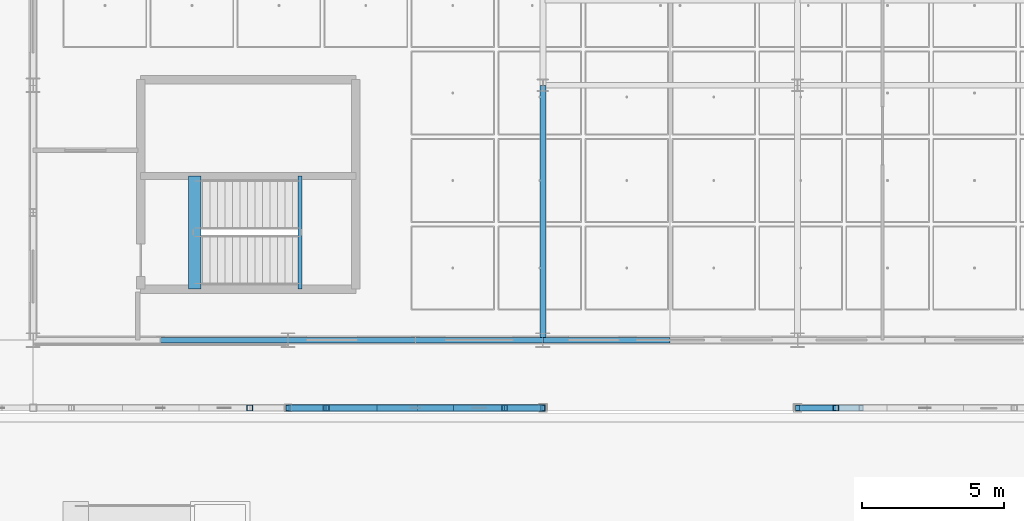
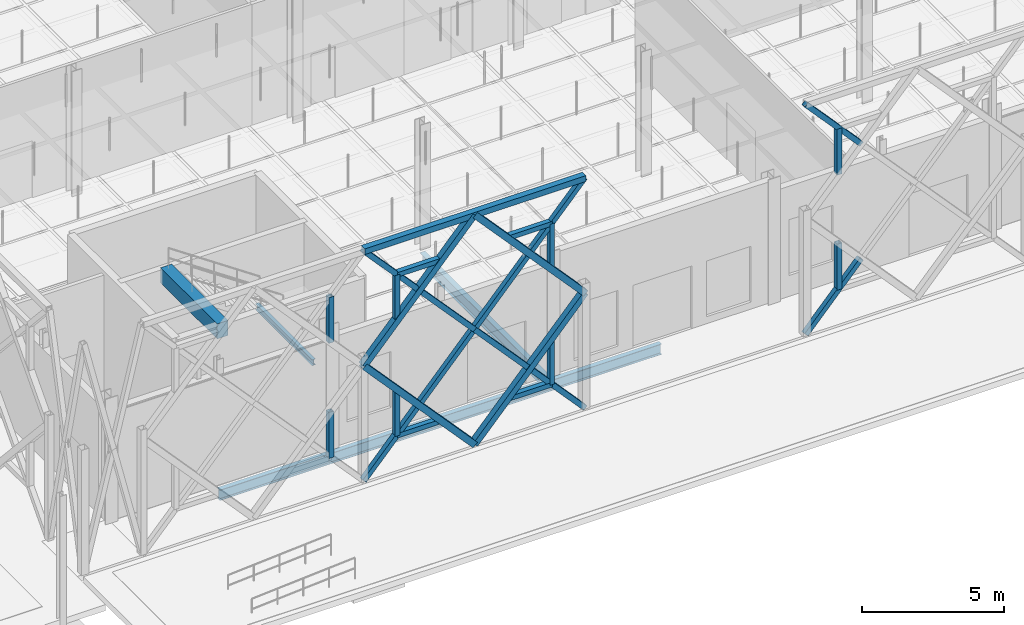
# One storey, part 35 of 180: 26 members, 7 beams.
"""IFC4 building model written with IfcOpenShell, lengths in metres."""

from ifc_helpers import new_model, si_unit, direction, frame, origin, origin_2d, place, context, subcontext, project, spatial, rectangle, hollow_rectangle, i_section, extrude, material, material_profile, profile_set, type_object, element, save


model = new_model("IFC4")

# Units and contexts
model_context = context("Model", 3, precision=1e-05, world=origin(), true_north=direction((0.0, 1.0)))
body_context = subcontext(model_context, "Body", "Model", "MODEL_VIEW")
ifc_project = project(units=[si_unit("LENGTHUNIT", "METRE"), si_unit("AREAUNIT", "SQUARE_METRE"), si_unit("VOLUMEUNIT", "CUBIC_METRE"), si_unit("PLANEANGLEUNIT", "RADIAN"), si_unit("MASSUNIT", "GRAM", prefix="KILO"), si_unit("THERMODYNAMICTEMPERATUREUNIT", "KELVIN"), si_unit("POWERUNIT", "WATT")], contexts=[model_context])

# Site, building, storey
site_placement = place(None, origin())
site = spatial("IfcSite", under=ifc_project, at=site_placement, CompositionType="ELEMENT")
building_placement = place(site_placement, origin())
building = spatial("IfcBuilding", under=site, at=building_placement, Name="Tallowbark Science Centre", CompositionType="ELEMENT")
storey_placement = place(building_placement, origin())
storey = spatial("IfcBuildingStorey", under=building, at=storey_placement, Name="L00", CompositionType="ELEMENT", Elevation=0.0)

# Beams
ifc_material_1 = material(Name="Concrete Grade N40 (40 MPa)", Category="concrete")
ifc_material_profile_1 = material_profile(ifc_material_1, rectangle(XDim=0.449951171875, YDim=0.64990234375, at=origin_2d()), Name="RC450x650")
ifc_profile_set_1 = profile_set([ifc_material_profile_1], Name="Concrete Grade N40 (40 MPa)")
beam_type_1 = type_object("IfcBeamType", Name="BM-GB2-N40", PredefinedType="BEAM", material=ifc_profile_set_1)
beam_1_placement = place(storey_placement, frame((64.2099609375, 6.300048828125, 5.074951171875), z_axis=(0.0, 1.0, 0.0), x_axis=(-1.0, 0.0, 0.0)))
element("IfcBeam", 1, at=beam_1_placement, inside=storey, type_object=beam_type_1, Name="Stair ST-07 Landing Nosing Beam L00", PredefinedType="BEAM", context=body_context, shape_type="SweptSolid", body=[
    extrude(rectangle(XDim=0.449951171875, YDim=0.64990234375, at=origin_2d()), origin(), (0.0, 0.0, 1.0), 3.994873046875),
])
ifc_material_2 = material(Name="Structural Steel Grade 300PLUS (300 MPa)", Category="steel")
ifc_material_profile_2 = material_profile(ifc_material_2, i_section(OverallWidth=0.208740234375, OverallDepth=0.5283203125, WebThickness=0.009521484375, FlangeThickness=0.01318359375, FilletRadius=0.013916015625, at=origin_2d()), Name="530UB82.0")
ifc_profile_set_2 = profile_set([ifc_material_profile_2], Name="Structural Steel Grade 300PLUS (300 MPa)")
beam_type_2 = type_object("IfcBeamType", Name="BM-UB530B", PredefinedType="BEAM", material=ifc_profile_set_2)
beam_2_placement = place(storey_placement, frame((76.5, 4.5, -0.504150390625), z_axis=(0.0, 1.0, 0.0), x_axis=(-1.0, 0.0, 0.0)))
element("IfcBeam", 2, at=beam_2_placement, inside=storey, type_object=beam_type_2, Name="Primary Girder GRDY-L00-765-45-135", PredefinedType="BEAM", context=body_context, shape_type="SweptSolid", body=[
    extrude(i_section(OverallWidth=0.208740234375, OverallDepth=0.5283203125, WebThickness=0.009521484375, FlangeThickness=0.01318359375, FilletRadius=0.013916015625, at=origin_2d()), origin(), (0.0, 0.0, 1.0), 9.0),
])
ifc_material_profile_3 = material_profile(ifc_material_2, i_section(OverallWidth=0.146484375, OverallDepth=0.256103515625, WebThickness=0.00634765625, FlangeThickness=0.010986328125, FilletRadius=0.0087890625, at=origin_2d()), Name="250UB37.3")
ifc_profile_set_3 = profile_set([ifc_material_profile_3], Name="Structural Steel Grade 300PLUS (300 MPa)")
beam_type_3 = type_object("IfcBeamType", Name="JST-UB250", PredefinedType="JOIST", material=ifc_profile_set_3)
beam_3_placement = place(storey_placement, frame((67.919921875, 6.300048828125, 2.371826171875), z_axis=(0.0, 1.0, 0.0), x_axis=(-1.0, 0.0, 0.0)))
element("IfcBeam", 3, at=beam_3_placement, inside=storey, type_object=beam_type_3, Name="Stair ST-07 Half-Landing Trimmer L00", PredefinedType="JOIST", context=body_context, shape_type="SweptSolid", body=[
    extrude(i_section(OverallWidth=0.146484375, OverallDepth=0.256103515625, WebThickness=0.00634765625, FlangeThickness=0.010986328125, FilletRadius=0.0087890625, at=origin_2d()), origin(), (0.0, 0.0, 1.0), 3.994873046875),
])

# Members
ifc_material_3 = material(Name="White Architectural Painted Steel Grade C350L0 (350 MPa)", Category="steel")
ifc_material_profile_4 = material_profile(ifc_material_3, hollow_rectangle(XDim=0.25, YDim=0.25, WallThickness=0.009033203125, at=origin_2d()), Name="250x250x9.0SHS")
ifc_profile_set_4 = profile_set([ifc_material_profile_4], Name="White Architectural Painted Steel Grade C350L0 (350 MPa)")
member_type_1 = type_object("IfcMemberType", Name="SCR-CHD200", PredefinedType="CHORD", material=ifc_profile_set_4)
member_1_placement = place(storey_placement, frame((67.5, 2.10009765625, 9.89990234375), z_axis=(1.0, 0.0, 0.0), x_axis=(0.0, 1.0, 0.0)))
element("IfcMember", 4, at=member_1_placement, inside=storey, type_object=member_type_1, Name="Star Screen Frame Chord S-3", PredefinedType="CHORD", context=body_context, shape_type="SweptSolid", body=[
    extrude(hollow_rectangle(XDim=0.25, YDim=0.25, WallThickness=0.009033203125, at=origin_2d()), origin(), (0.0, 0.0, 1.0), 9.0),
])
for number, where, z_axis, x_axis, name in (
    (5, (72.0, 2.10009765625, 0.0), (0.672676426978, 0.0, 0.739936770669), (0.0, 1.0, 0.0), "Star Screen Octagram Diamond Chord S-3-1"),
    (6, (76.5, 2.10009765625, 4.949951171875), (-0.672676426978, 0.0, 0.739936770669), (0.0, -1.0, 0.0), "Star Screen Octagram Diamond Chord S-3-2"),
    (7, (72.0, 2.10009765625, 9.89990234375), (-0.672676426978, 0.0, -0.739936770669), (0.0, -1.0, 0.0), "Star Screen Octagram Diamond Chord S-3-3"),
    (8, (67.5, 2.10009765625, 4.949951171875), (0.672676426978, 0.0, -0.739936770669), (0.0, 1.0, 0.0), "Star Screen Octagram Diamond Chord S-3-4"),
):
    element("IfcMember", number, at=place(storey_placement, frame(where, z_axis=z_axis, x_axis=x_axis)), inside=storey, type_object=member_type_1, Name=name, PredefinedType="CHORD", context=body_context, shape_type="SweptSolid", body=[
        extrude(hollow_rectangle(XDim=0.25, YDim=0.25, WallThickness=0.009033203125, at=origin_2d()), origin(), (0.0, 0.0, 1.0), 6.689697265625),
    ])
ifc_material_profile_5 = material_profile(ifc_material_3, hollow_rectangle(XDim=0.199951171875, YDim=0.199951171875, WallThickness=0.009033203125, at=origin_2d()), Name="200x200x9.0SHS")
ifc_profile_set_5 = profile_set([ifc_material_profile_5], Name="White Architectural Painted Steel Grade C350L0 (350 MPa)")
member_type_2 = type_object("IfcMemberType", Name="SCR-STAR139", PredefinedType="BRACE", material=ifc_profile_set_5)
member_2_placement = place(storey_placement, frame((67.5, 2.10009765625, 0.0), z_axis=(0.672658262301, 0.0, 0.739953283768), x_axis=(0.0, 1.0, 0.0)))
element("IfcMember", 9, at=member_2_placement, inside=storey, type_object=member_type_2, Name="Star Screen Continuous X-Diagonal D1A S-3", PredefinedType="BRACE", context=body_context, shape_type="SweptSolid", body=[
    extrude(hollow_rectangle(XDim=0.199951171875, YDim=0.199951171875, WallThickness=0.009033203125, at=origin_2d()), origin(), (0.0, 0.0, 1.0), 3.344970703125),
])
member_3_placement = place(storey_placement, frame((69.75, 2.10009765625, 2.47509765625), z_axis=(0.672676426978, 0.0, 0.739936770669), x_axis=(0.0, 1.0, 0.0)))
element("IfcMember", 10, at=member_3_placement, inside=storey, type_object=member_type_2, Name="Star Screen Continuous X-Diagonal D1M S-3", PredefinedType="BRACE", context=body_context, shape_type="SweptSolid", body=[
    extrude(hollow_rectangle(XDim=0.199951171875, YDim=0.199951171875, WallThickness=0.009033203125, at=origin_2d()), origin(), (0.0, 0.0, 1.0), 6.689697265625),
])
for number, where, z_axis, x_axis, name in (
    (11, (74.25, 2.10009765625, 7.425048828125), (0.672694592231, 0.0, 0.739920256233), (0.0, 1.0, 0.0), "Star Screen Continuous X-Diagonal D1B S-3"),
    (12, (67.5, 2.10009765625, 9.89990234375), (0.672694592231, 0.0, -0.739920256233), (0.0, 1.0, 0.0), "Star Screen Split X-Diagonal D2A S-3"),
):
    element("IfcMember", number, at=place(storey_placement, frame(where, z_axis=z_axis, x_axis=x_axis)), inside=storey, type_object=member_type_2, Name=name, PredefinedType="BRACE", context=body_context, shape_type="SweptSolid", body=[
        extrude(hollow_rectangle(XDim=0.199951171875, YDim=0.199951171875, WallThickness=0.009033203125, at=origin_2d()), origin(), (0.0, 0.0, 1.0), 3.3447265625),
    ])
member_4_placement = place(storey_placement, frame((69.75, 2.10009765625, 7.425048828125), z_axis=(0.672658262301, 0.0, -0.739953283768), x_axis=(0.0, 1.0, 0.0)))
element("IfcMember", 13, at=member_4_placement, inside=storey, type_object=member_type_2, Name="Star Screen Split X-Diagonal D2B S-3", PredefinedType="BRACE", context=body_context, shape_type="SweptSolid", body=[
    extrude(hollow_rectangle(XDim=0.199951171875, YDim=0.199951171875, WallThickness=0.009033203125, at=origin_2d()), origin(), (0.0, 0.0, 1.0), 3.344970703125),
])
member_5_placement = place(storey_placement, frame((72.0, 2.10009765625, 4.949951171875), z_axis=(0.672694592231, 0.0, -0.739920256233), x_axis=(0.0, 1.0, 0.0)))
element("IfcMember", 14, at=member_5_placement, inside=storey, type_object=member_type_2, Name="Star Screen Split X-Diagonal D2C S-3", PredefinedType="BRACE", context=body_context, shape_type="SweptSolid", body=[
    extrude(hollow_rectangle(XDim=0.199951171875, YDim=0.199951171875, WallThickness=0.009033203125, at=origin_2d()), origin(), (0.0, 0.0, 1.0), 3.3447265625),
])
for number, where, z_axis, x_axis, name in (
    (15, (74.25, 2.10009765625, 2.47509765625), (0.672658262301, 0.0, -0.739953283768), (0.0, 1.0, 0.0), "Star Screen Split X-Diagonal D2D S-3"),
    (16, (85.5, 2.10009765625, 0.0), (0.672658262301, 0.0, 0.739953283768), (0.0, 1.0, 0.0), "Star Screen Continuous X-Diagonal D1A S-6"),
):
    element("IfcMember", number, at=place(storey_placement, frame(where, z_axis=z_axis, x_axis=x_axis)), inside=storey, type_object=member_type_2, Name=name, PredefinedType="BRACE", context=body_context, shape_type="SweptSolid", body=[
        extrude(hollow_rectangle(XDim=0.199951171875, YDim=0.199951171875, WallThickness=0.009033203125, at=origin_2d()), origin(), (0.0, 0.0, 1.0), 3.344970703125),
    ])
member_6_placement = place(storey_placement, frame((85.5, 2.10009765625, 9.89990234375), z_axis=(0.672694592231, 0.0, -0.739920256233), x_axis=(0.0, 1.0, 0.0)))
element("IfcMember", 17, at=member_6_placement, inside=storey, type_object=member_type_2, Name="Star Screen Split X-Diagonal D2A S-6", PredefinedType="BRACE", context=body_context, shape_type="SweptSolid", body=[
    extrude(hollow_rectangle(XDim=0.199951171875, YDim=0.199951171875, WallThickness=0.009033203125, at=origin_2d()), origin(), (0.0, 0.0, 1.0), 3.3447265625),
])
ifc_material_profile_6 = material_profile(ifc_material_3, hollow_rectangle(XDim=0.199951171875, YDim=0.199951171875, WallThickness=0.009033203125, at=origin_2d()), Name="200x200x9.0SHS")
ifc_profile_set_6 = profile_set([ifc_material_profile_6], Name="White Architectural Painted Steel Grade C350L0 (350 MPa)")
member_type_3 = type_object("IfcMemberType", Name="SCR-SUB150", PredefinedType="BRACE", material=ifc_profile_set_6)
for number, where, z_axis, x_axis, name in (
    (18, (66.14990234375, 2.10009765625, 1.485107421875), (0.0, 0.0, 1.0), (1.0, 0.0, 0.0), "Star Screen Octagram Point Ray S-1-4"),
    (19, (66.14990234375, 2.10009765625, 8.4150390625), (0.0, 0.0, -1.0), (1.0, 0.0, 0.0), "Star Screen Octagram Point Ray S-1-6"),
):
    element("IfcMember", number, at=place(storey_placement, frame(where, z_axis=z_axis, x_axis=x_axis)), inside=storey, type_object=member_type_3, Name=name, PredefinedType="BRACE", context=body_context, shape_type="SweptSolid", body=[
        extrude(hollow_rectangle(XDim=0.199951171875, YDim=0.199951171875, WallThickness=0.009033203125, at=origin_2d()), origin(), (0.0, 0.0, 1.0), 1.97998046875),
    ])
member_7_placement = place(storey_placement, frame((68.85009765625, 2.10009765625, 1.485107421875), z_axis=(1.0, 0.0, 0.0), x_axis=(0.0, 1.0, 0.0)))
element("IfcMember", 20, at=member_7_placement, inside=storey, type_object=member_type_3, Name="Star Screen Octagram Point Ray S-3-1", PredefinedType="BRACE", context=body_context, shape_type="SweptSolid", body=[
    extrude(hollow_rectangle(XDim=0.199951171875, YDim=0.199951171875, WallThickness=0.009033203125, at=origin_2d()), origin(), (0.0, 0.0, 1.0), 1.7998046875),
])
member_8_placement = place(storey_placement, frame((68.85009765625, 2.10009765625, 1.485107421875), z_axis=(0.0, 0.0, 1.0), x_axis=(1.0, 0.0, 0.0)))
element("IfcMember", 21, at=member_8_placement, inside=storey, type_object=member_type_3, Name="Star Screen Octagram Point Ray S-3-2", PredefinedType="BRACE", context=body_context, shape_type="SweptSolid", body=[
    extrude(hollow_rectangle(XDim=0.199951171875, YDim=0.199951171875, WallThickness=0.009033203125, at=origin_2d()), origin(), (0.0, 0.0, 1.0), 1.97998046875),
])
member_9_placement = place(storey_placement, frame((75.14990234375, 2.10009765625, 1.485107421875), z_axis=(-1.0, 0.0, 0.0), x_axis=(0.0, -1.0, 0.0)))
element("IfcMember", 22, at=member_9_placement, inside=storey, type_object=member_type_3, Name="Star Screen Octagram Point Ray S-3-3", PredefinedType="BRACE", context=body_context, shape_type="SweptSolid", body=[
    extrude(hollow_rectangle(XDim=0.199951171875, YDim=0.199951171875, WallThickness=0.009033203125, at=origin_2d()), origin(), (0.0, 0.0, 1.0), 1.7998046875),
])
member_10_placement = place(storey_placement, frame((75.14990234375, 2.10009765625, 1.485107421875), z_axis=(0.0, 0.0, 1.0), x_axis=(1.0, 0.0, 0.0)))
element("IfcMember", 23, at=member_10_placement, inside=storey, type_object=member_type_3, Name="Star Screen Octagram Point Ray S-3-4", PredefinedType="BRACE", context=body_context, shape_type="SweptSolid", body=[
    extrude(hollow_rectangle(XDim=0.199951171875, YDim=0.199951171875, WallThickness=0.009033203125, at=origin_2d()), origin(), (0.0, 0.0, 1.0), 1.97998046875),
])
member_11_placement = place(storey_placement, frame((75.14990234375, 2.10009765625, 8.4150390625), z_axis=(-1.0, 0.0, 0.0), x_axis=(0.0, -1.0, 0.0)))
element("IfcMember", 24, at=member_11_placement, inside=storey, type_object=member_type_3, Name="Star Screen Octagram Point Ray S-3-5", PredefinedType="BRACE", context=body_context, shape_type="SweptSolid", body=[
    extrude(hollow_rectangle(XDim=0.199951171875, YDim=0.199951171875, WallThickness=0.009033203125, at=origin_2d()), origin(), (0.0, 0.0, 1.0), 1.7998046875),
])
member_12_placement = place(storey_placement, frame((75.14990234375, 2.10009765625, 8.4150390625), z_axis=(0.0, 0.0, -1.0), x_axis=(1.0, 0.0, 0.0)))
element("IfcMember", 25, at=member_12_placement, inside=storey, type_object=member_type_3, Name="Star Screen Octagram Point Ray S-3-6", PredefinedType="BRACE", context=body_context, shape_type="SweptSolid", body=[
    extrude(hollow_rectangle(XDim=0.199951171875, YDim=0.199951171875, WallThickness=0.009033203125, at=origin_2d()), origin(), (0.0, 0.0, 1.0), 1.97998046875),
])
member_13_placement = place(storey_placement, frame((68.85009765625, 2.10009765625, 8.4150390625), z_axis=(1.0, 0.0, 0.0), x_axis=(0.0, 1.0, 0.0)))
element("IfcMember", 26, at=member_13_placement, inside=storey, type_object=member_type_3, Name="Star Screen Octagram Point Ray S-3-7", PredefinedType="BRACE", context=body_context, shape_type="SweptSolid", body=[
    extrude(hollow_rectangle(XDim=0.199951171875, YDim=0.199951171875, WallThickness=0.009033203125, at=origin_2d()), origin(), (0.0, 0.0, 1.0), 1.7998046875),
])
for number, where, z_axis, x_axis, name in (
    (27, (68.85009765625, 2.10009765625, 8.4150390625), (0.0, 0.0, -1.0), (1.0, 0.0, 0.0), "Star Screen Octagram Point Ray S-3-8"),
    (28, (86.85009765625, 2.10009765625, 1.485107421875), (0.0, 0.0, 1.0), (1.0, 0.0, 0.0), "Star Screen Octagram Point Ray S-6-2"),
    (29, (86.85009765625, 2.10009765625, 8.4150390625), (0.0, 0.0, -1.0), (1.0, 0.0, 0.0), "Star Screen Octagram Point Ray S-6-8"),
):
    element("IfcMember", number, at=place(storey_placement, frame(where, z_axis=z_axis, x_axis=x_axis)), inside=storey, type_object=member_type_3, Name=name, PredefinedType="BRACE", context=body_context, shape_type="SweptSolid", body=[
        extrude(hollow_rectangle(XDim=0.199951171875, YDim=0.199951171875, WallThickness=0.009033203125, at=origin_2d()), origin(), (0.0, 0.0, 1.0), 1.97998046875),
    ])

# Beams
ifc_material_profile_7 = material_profile(ifc_material_2, i_section(OverallWidth=0.18994140625, OverallDepth=0.453857421875, WebThickness=0.008544921875, FlangeThickness=0.0126953125, FilletRadius=0.011474609375, at=origin_2d()), Name="460UB67.1")
ifc_profile_set_7 = profile_set([ifc_material_profile_7], Name="Structural Steel Grade 300PLUS (300 MPa)")
beam_type_4 = type_object("IfcBeamType", Name="SPN-UB460", PredefinedType="SPANDREL", material=ifc_profile_set_7)
for number, where, z_axis, x_axis, name in (
    (30, (63.0, 4.5, -0.491943359375), (1.0, 0.0, 0.0), (0.0, 1.0, 0.0), "Primary Girder GRDX-L00-630-675-45"),
    (31, (67.5, 4.5, -0.491943359375), (1.0, 0.0, 0.0), (0.0, 1.0, 0.0), "Primary Girder GRDX-L00-675-720-45"),
    (32, (72.0, 4.5, -0.491943359375), (1.0, 0.0, 0.0), (0.0, 1.0, 0.0), "Primary Girder GRDX-L00-720-765-45"),
    (33, (76.5, 4.5, -0.491943359375), (1.0, 0.0, 0.0), (0.0, 1.0, 0.0), "Primary Girder GRDX-L00-765-810-45"),
):
    element("IfcBeam", number, at=place(storey_placement, frame(where, z_axis=z_axis, x_axis=x_axis)), inside=storey, type_object=beam_type_4, Name=name, PredefinedType="SPANDREL", context=body_context, shape_type="SweptSolid", body=[
        extrude(i_section(OverallWidth=0.18994140625, OverallDepth=0.453857421875, WebThickness=0.008544921875, FlangeThickness=0.0126953125, FilletRadius=0.011474609375, at=origin_2d()), origin(), (0.0, 0.0, 1.0), 4.5),
    ])

save(model, "model.ifc")
